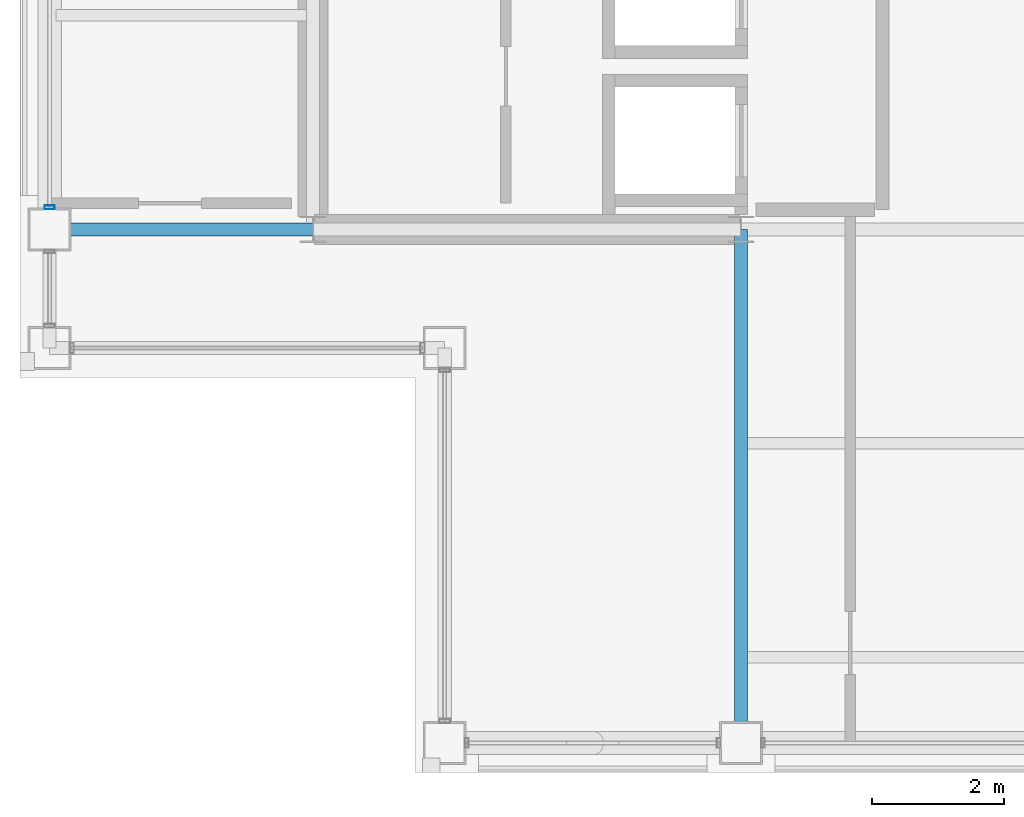
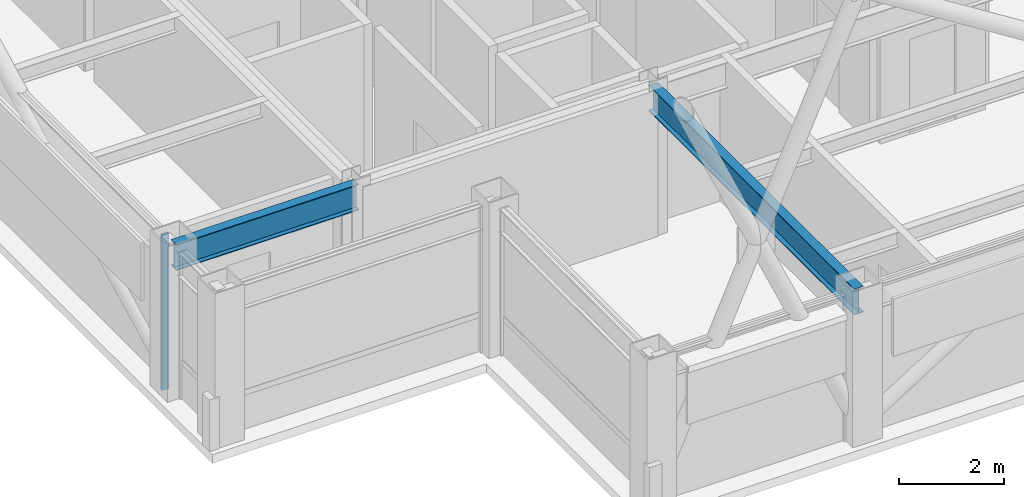
# One storey, part 6 of 30: 2 beams, 1 member, 1 element without a shape of its own.
"""IFC4 building model written with IfcOpenShell, lengths in metres."""

from ifc_helpers import new_model, si_unit, direction, frame, origin, origin_2d, place, context, subcontext, project, spatial, hollow_rectangle, i_section, extrude, material, layer, layer_set, material_profile, profile_set, type_object, element, aggregate, save


model = new_model("IFC4")

# Units and contexts
model_context = context("Model", 3, precision=1e-05, world=origin(), true_north=direction((0.0, 1.0)))
body_context = subcontext(model_context, "Body", "Model", "MODEL_VIEW")
ifc_project = project(units=[si_unit("LENGTHUNIT", "METRE"), si_unit("AREAUNIT", "SQUARE_METRE"), si_unit("VOLUMEUNIT", "CUBIC_METRE"), si_unit("PLANEANGLEUNIT", "RADIAN"), si_unit("MASSUNIT", "GRAM", prefix="KILO")], contexts=[model_context])

# Site, building, storey
site_placement = place(None, origin())
site = spatial("IfcSite", under=ifc_project, at=site_placement, CompositionType="ELEMENT")
building_placement = place(site_placement, origin())
building = spatial("IfcBuilding", under=site, at=building_placement, Name="Brelmoor Portico Tower", CompositionType="ELEMENT")
storey_placement = place(building_placement, frame((0.0, 0.0, 236.39990234375)))
storey = spatial("IfcBuildingStorey", under=building, at=storey_placement, Name="L62", CompositionType="ELEMENT", Elevation=236.39990234375)

# Beams
ifc_material_1 = material(Name="Steel Q355B", Category="steel")
ifc_material_profile_1 = material_profile(ifc_material_1, i_section(OverallWidth=0.199951171875, OverallDepth=0.60009765625, WebThickness=0.010986328125, FlangeThickness=0.01708984375, at=origin_2d()), Name="HN 600x200x11x17")
ifc_profile_set_1 = profile_set([ifc_material_profile_1], Name="Steel Q355B")
beam_type = type_object("IfcBeamType", Name="BM-PG-600", PredefinedType="BEAM", material=ifc_profile_set_1)
beam_1_placement = place(storey_placement, frame((-8.050048828125, -17.550048828125, 3.10009765625), z_axis=(0.0, 1.0, 0.0), x_axis=(-1.0, 0.0, 0.0)))
element("IfcBeam", 1, at=beam_1_placement, inside=storey, type_object=beam_type, Name="L62 Primary Floor Girder PG-03", PredefinedType="BEAM", context=body_context, shape_type="SweptSolid", body=[
    extrude(i_section(OverallWidth=0.199951171875, OverallDepth=0.60009765625, WebThickness=0.010986328125, FlangeThickness=0.01708984375, at=origin_2d()), origin(), (0.0, 0.0, 1.0), 7.800048828125),
])
beam_2_placement = place(storey_placement, frame((-18.550048828125, -9.75, 3.10009765625), z_axis=(1.0, 0.0, 0.0), x_axis=(0.0, 1.0, 0.0)))
element("IfcBeam", 2, at=beam_2_placement, inside=storey, type_object=beam_type, Name="L62 Primary Floor Girder PG-11", PredefinedType="BEAM", context=body_context, shape_type="SweptSolid", body=[
    extrude(i_section(OverallWidth=0.199951171875, OverallDepth=0.60009765625, WebThickness=0.010986328125, FlangeThickness=0.01708984375, at=origin_2d()), origin(), (0.0, 0.0, 1.0), 4.0),
])

# Curtain wall, member
ifc_material_2 = material(Name="Anodised Aluminium Alloy 6063-T6", Category="aluminium")
ifc_layer = layer(ifc_material_2, 0.179931640625)
ifc_layer_set = layer_set([ifc_layer], Name="Anodised Aluminium Alloy 6063-T6")
curtain_wall_type = type_object("IfcCurtainWallType", Name="CW-TOWER-Z4-XB", PredefinedType="NOTDEFINED", material=ifc_layer_set)
curtain_wall_placement = place(storey_placement, origin())
curtain_wall = element("IfcCurtainWall", 3, at=curtain_wall_placement, inside=storey, type_object=curtain_wall_type, Name="L62 Curtain Wall CW-L62-03-2", PredefinedType="NOTDEFINED")
ifc_material_profile_2 = material_profile(ifc_material_2, hollow_rectangle(XDim=0.06005859375, YDim=0.14990234375, WallThickness=0.00390625, at=origin_2d()), Name="ALU MULLION 60x150")
ifc_profile_set_2 = profile_set([ifc_material_profile_2], Name="Anodised Aluminium Alloy 6063-T6")
member_type = type_object("IfcMemberType", Name="MB-CW-MULL-150", PredefinedType="MULLION", material=ifc_profile_set_2)
member_placement = place(storey_placement, frame((-18.550048828125, -9.4150390625, -0.199951171875), z_axis=(0.0, 0.0, 1.0), x_axis=(0.0, 1.0, 0.0)))
member = element("IfcMember", 4, at=member_placement, type_object=member_type, Name="CW-L62-03-2 Mullion 00", PredefinedType="MULLION", context=body_context, shape_type="SweptSolid", body=[
    extrude(hollow_rectangle(XDim=0.06005859375, YDim=0.14990234375, WallThickness=0.00390625, at=origin_2d()), origin(), (0.0, 0.0, 1.0), 3.60009765625),
])
aggregate(curtain_wall, [member])

save(model, "model.ifc")
